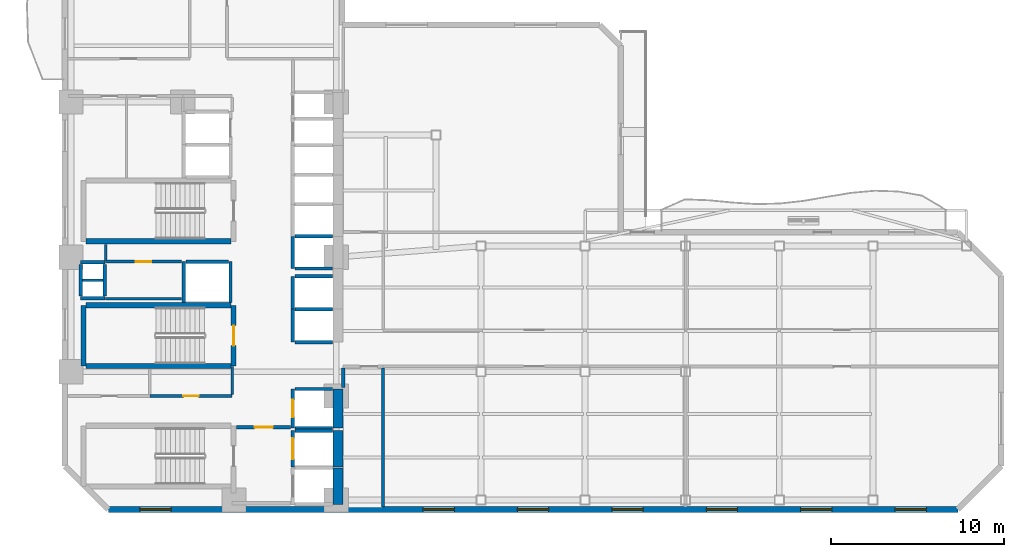
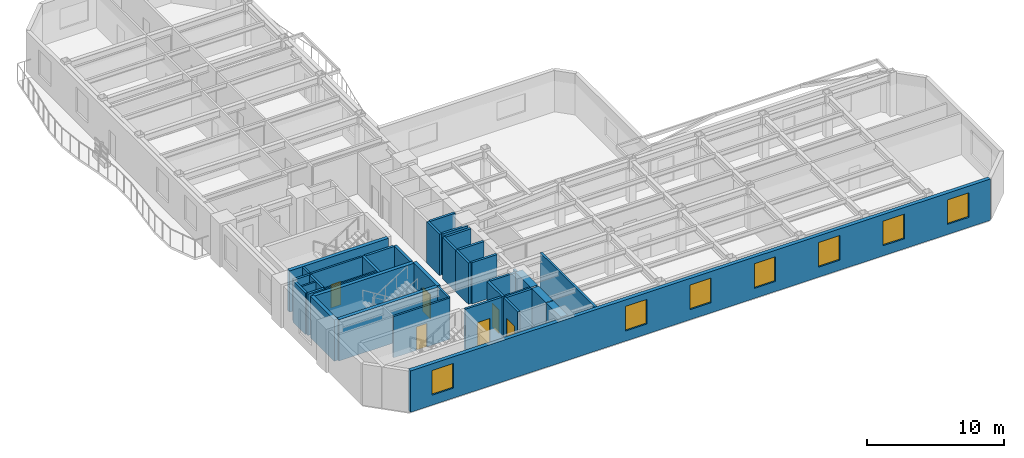
# One storey, part 3 of 10: 38 walls, 7 windows, 6 doors, 13 openings.
"""IFC4 building model written with IfcOpenShell, lengths in metres."""

from ifc_helpers import new_model, si_unit, direction, frame, frame_2d, origin, place, context, subcontext, project, spatial, rectangle, extrude, material, layer, layer_set, type_object, element, fill, save


model = new_model("IFC4")

# Units and contexts
model_context = context("Model", 3, precision=1e-05, world=origin(), true_north=direction((0.0, 1.0)))
body_context = subcontext(model_context, "Body", "Model", "MODEL_VIEW")
ifc_project = project(units=[si_unit("LENGTHUNIT", "METRE"), si_unit("AREAUNIT", "SQUARE_METRE"), si_unit("VOLUMEUNIT", "CUBIC_METRE"), si_unit("PLANEANGLEUNIT", "RADIAN"), si_unit("MASSUNIT", "GRAM", prefix="KILO")], contexts=[model_context])

# Site, building, storey
site_placement = place(None, origin())
site = spatial("IfcSite", under=ifc_project, at=site_placement, CompositionType="ELEMENT")
building_placement = place(site_placement, origin())
building = spatial("IfcBuilding", under=site, at=building_placement, Name="Mawjaban Terraces University", CompositionType="ELEMENT")
storey_placement = place(building_placement, frame((0.0, 0.0, 42.699951171875)))
storey = spatial("IfcBuildingStorey", under=building, at=storey_placement, Name="L09", CompositionType="ELEMENT", Elevation=42.699951171875)

# Walls
ifc_material_1 = material(Name="Acoustic masonry blockwork", Category="masonry")
ifc_layer_1 = layer(ifc_material_1, 0.179931640625)
ifc_layer_set_1 = layer_set([ifc_layer_1], Name="Acoustic masonry blockwork")
wall_type_1 = type_object("IfcWallType", Name="AcousticStudioWall_180", PredefinedType="PARTITIONING", material=ifc_layer_set_1)
wall_1_placement = place(storey_placement, frame((38.050048828125, 7.050048828125, 0.0), z_axis=(0.0, 0.0, 1.0), x_axis=(0.0, 1.0, 0.0)))
element("IfcWall", 1, at=wall_1_placement, inside=storey, type_object=wall_type_1, Name="L09 Core Stair and Lift Lobby East Partition 41", PredefinedType="PARTITIONING", context=body_context, shape_type="SweptSolid", body=[
    extrude(rectangle(XDim=1.114990234375, YDim=0.179931640625, at=frame_2d((0.5576171875, 0.0))), origin(), (0.0, 0.0, 1.0), 3.054931640625),
])
wall_2_placement = place(storey_placement, frame((40.35009765625, 0.155029296875, 0.0), z_axis=(0.0, 0.0, 1.0), x_axis=(0.0, 1.0, 0.0)))
element("IfcWall", 2, at=wall_2_placement, inside=storey, type_object=wall_type_1, Name="L09 Design Studio 1 Partition 43", PredefinedType="PARTITIONING", context=body_context, shape_type="SweptSolid", body=[
    extrude(rectangle(XDim=8.010009765625, YDim=0.179931640625, at=frame_2d((4.0048828125, 0.0))), origin(), (0.0, 0.0, 1.0), 3.68994140625),
])
ifc_material_2 = material(Name="Concrete C70/85", Category="concrete")
ifc_layer_2 = layer(ifc_material_2, 0.60009765625)
ifc_layer_set_2 = layer_set([ifc_layer_2], Name="Concrete C70/85")
wall_type_2 = type_object("IfcWallType", Name="CoreShearWall_600", PredefinedType="SHEAR", material=ifc_layer_set_2)
wall_3_placement = place(storey_placement, frame((37.75, 0.300048828125, 0.0), z_axis=(0.0, 0.0, 1.0), x_axis=(0.0, 1.0, 0.0)))
element("IfcWall", 3, at=wall_3_placement, inside=storey, type_object=wall_type_2, Name="L09 Lift FL-1 Hoistway Wall East", PredefinedType="SHEAR", context=body_context, shape_type="SweptSolid", body=[
    extrude(rectangle(XDim=2.099853515625, YDim=0.60009765625, at=frame_2d((1.0498046875, 0.0))), origin(), (0.0, 0.0, 1.0), 3.68994140625),
])
wall_4_placement = place(storey_placement, frame((37.75, 2.449951171875, 0.0), z_axis=(0.0, 0.0, 1.0), x_axis=(0.0, 1.0, 0.0)))
element("IfcWall", 4, at=wall_4_placement, inside=storey, type_object=wall_type_2, Name="L09 Lift FL-2 Hoistway Wall East", PredefinedType="SHEAR", context=body_context, shape_type="SweptSolid", body=[
    extrude(rectangle(XDim=2.10009765625, YDim=0.60009765625, at=frame_2d((1.050048828125, 0.0))), origin(), (0.0, 0.0, 1.0), 3.68994140625),
])
wall_5_placement = place(storey_placement, frame((37.75, 4.699951171875, 0.0), z_axis=(0.0, 0.0, 1.0), x_axis=(0.0, 1.0, 0.0)))
element("IfcWall", 5, at=wall_5_placement, inside=storey, type_object=wall_type_2, Name="L09 Lift SL-1 Hoistway Wall East", PredefinedType="SHEAR", context=body_context, shape_type="SweptSolid", body=[
    extrude(rectangle(XDim=2.25, YDim=0.60009765625, at=frame_2d((1.125, 0.0))), origin(), (0.0, 0.0, 1.0), 3.68994140625),
])

# Wall, opening, door
ifc_material_3 = material(Name="Fire-rated gypsum board on steel stud", Category="steel")
ifc_layer_3 = layer(ifc_material_3, 0.159912109375)
ifc_layer_set_3 = layer_set([ifc_layer_3], Name="Fire-rated gypsum board on steel stud")
wall_type_3 = type_object("IfcWallType", Name="CorridorPartition_160", PredefinedType="PARTITIONING", material=ifc_layer_set_3)
wall_6_placement = place(storey_placement, frame((24.35009765625, 14.300048828125, 0.0), z_axis=(0.0, 0.0, 1.0), x_axis=(1.0, 0.0, 0.0)))
wall_6 = element("IfcWall", 6, at=wall_6_placement, inside=storey, type_object=wall_type_3, Name="L09 Core Riser Access Passage Partition 2", PredefinedType="PARTITIONING", context=body_context, shape_type="SweptSolid", body=[
    extrude(rectangle(XDim=4.369873046875, YDim=0.159912109375, at=frame_2d((2.18505859375, 0.0))), origin(), (0.0, 0.0, 1.0), 3.68994140625),
])
opening_1_placement = place(wall_6_placement, frame((1.7451171875, 0.0, 0.0)))
opening_1 = element("IfcOpeningElement", 7, at=opening_1_placement, cuts=wall_6, Name="Opening ID-088", PredefinedType="OPENING", context=body_context, shape_type="SweptSolid", body=[
    extrude(rectangle(XDim=0.8798828125, YDim=2.10009765625, at=frame_2d((0.43994140625, 1.050048828125))), frame((0.0, 0.08984375, 0.0), z_axis=(0.0, -1.0, 0.0), x_axis=(1.0, 0.0, 0.0)), (0.0, 0.0, 1.0), 0.179931640625),
])
ifc_material_4 = material(Name="Powder-coated steel frame and solid acoustic timber leaf", Category="steel")
door_type_1 = type_object("IfcDoorType", Name="ToiletDoor_880x2100", OperationType="NOTDEFINED", PredefinedType="DOOR", material=ifc_material_4)
door_1_placement = place(opening_1_placement, origin())
door_1 = element("IfcDoor", 8, at=door_1_placement, inside=storey, type_object=door_type_1, Name="L09 Ablution Room Door", OperationType="SINGLE_SWING_RIGHT", OverallHeight=2.10009765625, OverallWidth=0.8798828125, PredefinedType="DOOR", context=body_context, shape_type="SweptSolid", body=[
    extrude(rectangle(XDim=0.8798828125, YDim=2.10009765625, at=frame_2d((0.43994140625, 1.050048828125))), frame((0.0, 0.02490234375, 0.0), z_axis=(0.0, -1.0, 0.0), x_axis=(1.0, 0.0, 0.0)), (0.0, 0.0, 1.0), 0.050048828125),
])
fill(opening_1, door_1)

wall_7_placement = place(storey_placement, frame((31.64990234375, 6.550048828125, 0.0), z_axis=(0.0, 0.0, 1.0), x_axis=(-1.0, 0.0, 0.0)))
wall_7 = element("IfcWall", 9, at=wall_7_placement, inside=storey, type_object=wall_type_3, Name="L09 Core Washroom Lobby Partition 12", PredefinedType="PARTITIONING", context=body_context, shape_type="SweptSolid", body=[
    extrude(rectangle(XDim=4.75, YDim=0.159912109375, at=frame_2d((2.375, 0.0))), origin(), (0.0, 0.0, 1.0), 3.68994140625),
])
opening_2_placement = place(wall_7_placement, frame((1.93505859375, 0.0, 0.0)))
opening_2 = element("IfcOpeningElement", 10, at=opening_2_placement, cuts=wall_7, Name="Opening ID-088", PredefinedType="OPENING", context=body_context, shape_type="SweptSolid", body=[
    extrude(rectangle(XDim=0.8798828125, YDim=2.10009765625, at=frame_2d((0.43994140625, 1.050048828125))), frame((0.0, 0.08984375, 0.0), z_axis=(0.0, -1.0, 0.0), x_axis=(1.0, 0.0, 0.0)), (0.0, 0.0, 1.0), 0.179931640625),
])
door_2_placement = place(opening_2_placement, origin())
door_2 = element("IfcDoor", 11, at=door_2_placement, inside=storey, type_object=door_type_1, Name="L09 Accessible Toilet Door", OperationType="SINGLE_SWING_LEFT", OverallHeight=2.10009765625, OverallWidth=0.8798828125, PredefinedType="DOOR", context=body_context, shape_type="SweptSolid", body=[
    extrude(rectangle(XDim=0.8798828125, YDim=2.10009765625, at=frame_2d((0.43994140625, 1.050048828125))), frame((0.0, 0.02490234375, 0.0), z_axis=(0.0, -1.0, 0.0), x_axis=(1.0, 0.0, 0.0)), (0.0, 0.0, 1.0), 0.050048828125),
])
fill(opening_2, door_2)

# Walls
wall_8_placement = place(storey_placement, frame((24.35009765625, 15.2900390625, 0.0), z_axis=(0.0, 0.0, 1.0), x_axis=(0.0, -1.0, 0.0)))
element("IfcWall", 12, at=wall_8_placement, inside=storey, type_object=wall_type_3, Name="L09 Core Riser Access Passage Partition 26", PredefinedType="PARTITIONING", context=body_context, shape_type="SweptSolid", body=[
    extrude(rectangle(XDim=0.9150390625, YDim=0.159912109375, at=frame_2d((0.45751953125, 0.0))), origin(), (0.0, 0.0, 1.0), 3.68994140625),
])
wall_9_placement = place(storey_placement, frame((31.64990234375, 8.239990234375, 0.0), z_axis=(0.0, 0.0, 1.0), x_axis=(0.0, -1.0, 0.0)))
element("IfcWall", 13, at=wall_9_placement, inside=storey, type_object=wall_type_3, Name="L09 Passenger Lift Lobby Partition 38", PredefinedType="PARTITIONING", context=body_context, shape_type="SweptSolid", body=[
    extrude(rectangle(XDim=1.614990234375, YDim=0.159912109375, at=frame_2d((0.8076171875, 0.0))), origin(), (0.0, 0.0, 1.0), 3.68994140625),
])

# Wall, openings, windows
ifc_material_5 = material(Name="Insulated terracotta rainscreen on concrete backup C40/50", Category="masonry")
ifc_layer_4 = layer(ifc_material_5, 0.320068359375)
ifc_layer_set_4 = layer_set([ifc_layer_4], Name="Insulated terracotta rainscreen on concrete backup C40/50")
wall_type_4 = type_object("IfcWallType", Name="ExtTerracottaWall_320", PredefinedType="SOLIDWALL", material=ifc_layer_set_4)
wall_10_placement = place(storey_placement, frame((24.5, 0.0, 0.0), z_axis=(0.0, 0.0, 1.0), x_axis=(1.0, 0.0, 0.0)))
wall_10 = element("IfcWall", 14, at=wall_10_placement, inside=storey, type_object=wall_type_4, Name="L09 Exterior Terracotta Wall 1", PredefinedType="SOLIDWALL", context=body_context, shape_type="SweptSolid", body=[
    extrude(rectangle(XDim=49.0, YDim=0.320068359375, at=frame_2d((24.5, 0.0))), origin(), (0.0, 0.0, 1.0), 3.68994140625),
])
opening_3_placement = place(wall_10_placement, frame((1.822021484375, 0.0, 0.89990234375)))
opening_3 = element("IfcOpeningElement", 15, at=opening_3_placement, cuts=wall_10, Name="Opening W-10", PredefinedType="OPENING", context=body_context, shape_type="SweptSolid", body=[
    extrude(rectangle(XDim=1.800048828125, YDim=2.199951171875, at=frame_2d((0.89990234375, 1.10009765625))), frame((0.0, 0.169921875, 0.0), z_axis=(0.0, -1.0, 0.0), x_axis=(1.0, 0.0, 0.0)), (0.0, 0.0, 1.0), 0.340087890625),
])
opening_4_placement = place(wall_10_placement, frame((18.156005859375, 0.0, 0.89990234375)))
opening_4 = element("IfcOpeningElement", 16, at=opening_4_placement, cuts=wall_10, Name="Opening W-10", PredefinedType="OPENING", context=body_context, shape_type="SweptSolid", body=[
    extrude(rectangle(XDim=1.800048828125, YDim=2.199951171875, at=frame_2d((0.89990234375, 1.10009765625))), frame((0.0, 0.169921875, 0.0), z_axis=(0.0, -1.0, 0.0), x_axis=(1.0, 0.0, 0.0)), (0.0, 0.0, 1.0), 0.340087890625),
])
opening_5_placement = place(wall_10_placement, frame((23.60009765625, 0.0, 0.89990234375)))
opening_5 = element("IfcOpeningElement", 17, at=opening_5_placement, cuts=wall_10, Name="Opening W-10", PredefinedType="OPENING", context=body_context, shape_type="SweptSolid", body=[
    extrude(rectangle(XDim=1.800048828125, YDim=2.199951171875, at=frame_2d((0.89990234375, 1.10009765625))), frame((0.0, 0.169921875, 0.0), z_axis=(0.0, -1.0, 0.0), x_axis=(1.0, 0.0, 0.0)), (0.0, 0.0, 1.0), 0.340087890625),
])
opening_6_placement = place(wall_10_placement, frame((29.0439453125, 0.0, 0.89990234375)))
opening_6 = element("IfcOpeningElement", 18, at=opening_6_placement, cuts=wall_10, Name="Opening W-10", PredefinedType="OPENING", context=body_context, shape_type="SweptSolid", body=[
    extrude(rectangle(XDim=1.800048828125, YDim=2.199951171875, at=frame_2d((0.89990234375, 1.10009765625))), frame((0.0, 0.169921875, 0.0), z_axis=(0.0, -1.0, 0.0), x_axis=(1.0, 0.0, 0.0)), (0.0, 0.0, 1.0), 0.340087890625),
])
opening_7_placement = place(wall_10_placement, frame((34.489013671875, 0.0, 0.89990234375)))
opening_7 = element("IfcOpeningElement", 19, at=opening_7_placement, cuts=wall_10, Name="Opening W-10", PredefinedType="OPENING", context=body_context, shape_type="SweptSolid", body=[
    extrude(rectangle(XDim=1.800048828125, YDim=2.199951171875, at=frame_2d((0.89990234375, 1.10009765625))), frame((0.0, 0.169921875, 0.0), z_axis=(0.0, -1.0, 0.0), x_axis=(1.0, 0.0, 0.0)), (0.0, 0.0, 1.0), 0.340087890625),
])
opening_8_placement = place(wall_10_placement, frame((39.93310546875, 0.0, 0.89990234375)))
opening_8 = element("IfcOpeningElement", 20, at=opening_8_placement, cuts=wall_10, Name="Opening W-10", PredefinedType="OPENING", context=body_context, shape_type="SweptSolid", body=[
    extrude(rectangle(XDim=1.800048828125, YDim=2.199951171875, at=frame_2d((0.89990234375, 1.10009765625))), frame((0.0, 0.169921875, 0.0), z_axis=(0.0, -1.0, 0.0), x_axis=(1.0, 0.0, 0.0)), (0.0, 0.0, 1.0), 0.340087890625),
])
opening_9_placement = place(wall_10_placement, frame((45.3779296875, 0.0, 0.89990234375)))
opening_9 = element("IfcOpeningElement", 21, at=opening_9_placement, cuts=wall_10, Name="Opening W-10", PredefinedType="OPENING", context=body_context, shape_type="SweptSolid", body=[
    extrude(rectangle(XDim=1.800048828125, YDim=2.199951171875, at=frame_2d((0.89990234375, 1.10009765625))), frame((0.0, 0.169921875, 0.0), z_axis=(0.0, -1.0, 0.0), x_axis=(1.0, 0.0, 0.0)), (0.0, 0.0, 1.0), 0.340087890625),
])
ifc_material_6 = material(Name="Low-E solar-control double glazing in thermally broken aluminium frame", Category="aluminium")
window_type = type_object("IfcWindowType", Name="Win_1800x2200", PartitioningType="SINGLE_PANEL", PredefinedType="WINDOW", material=ifc_material_6)
window_1_placement = place(opening_3_placement, origin())
window_1 = element("IfcWindow", 22, at=window_1_placement, inside=storey, type_object=window_type, Name="L09 Facade Window 1.1", OverallHeight=2.199951171875, OverallWidth=1.800048828125, PartitioningType="SINGLE_PANEL", PredefinedType="WINDOW", context=body_context, shape_type="SweptSolid", body=[
    extrude(rectangle(XDim=1.800048828125, YDim=2.199951171875, at=frame_2d((0.89990234375, 1.10009765625))), frame((0.0, 0.030029296875, 0.0), z_axis=(0.0, -1.0, 0.0), x_axis=(1.0, 0.0, 0.0)), (0.0, 0.0, 1.0), 0.06005859375),
])
fill(opening_3, window_1)
window_2_placement = place(opening_4_placement, origin())
window_2 = element("IfcWindow", 23, at=window_2_placement, inside=storey, type_object=window_type, Name="L09 Facade Window 1.4", OverallHeight=2.199951171875, OverallWidth=1.800048828125, PartitioningType="SINGLE_PANEL", PredefinedType="WINDOW", context=body_context, shape_type="SweptSolid", body=[
    extrude(rectangle(XDim=1.800048828125, YDim=2.199951171875, at=frame_2d((0.89990234375, 1.10009765625))), frame((0.0, 0.030029296875, 0.0), z_axis=(0.0, -1.0, 0.0), x_axis=(1.0, 0.0, 0.0)), (0.0, 0.0, 1.0), 0.06005859375),
])
fill(opening_4, window_2)
window_3_placement = place(opening_5_placement, origin())
window_3 = element("IfcWindow", 24, at=window_3_placement, inside=storey, type_object=window_type, Name="L09 Facade Window 1.5", OverallHeight=2.199951171875, OverallWidth=1.800048828125, PartitioningType="SINGLE_PANEL", PredefinedType="WINDOW", context=body_context, shape_type="SweptSolid", body=[
    extrude(rectangle(XDim=1.800048828125, YDim=2.199951171875, at=frame_2d((0.89990234375, 1.10009765625))), frame((0.0, 0.030029296875, 0.0), z_axis=(0.0, -1.0, 0.0), x_axis=(1.0, 0.0, 0.0)), (0.0, 0.0, 1.0), 0.06005859375),
])
fill(opening_5, window_3)
window_4_placement = place(opening_6_placement, origin())
window_4 = element("IfcWindow", 25, at=window_4_placement, inside=storey, type_object=window_type, Name="L09 Facade Window 1.6", OverallHeight=2.199951171875, OverallWidth=1.800048828125, PartitioningType="SINGLE_PANEL", PredefinedType="WINDOW", context=body_context, shape_type="SweptSolid", body=[
    extrude(rectangle(XDim=1.800048828125, YDim=2.199951171875, at=frame_2d((0.89990234375, 1.10009765625))), frame((0.0, 0.030029296875, 0.0), z_axis=(0.0, -1.0, 0.0), x_axis=(1.0, 0.0, 0.0)), (0.0, 0.0, 1.0), 0.06005859375),
])
fill(opening_6, window_4)
window_5_placement = place(opening_7_placement, origin())
window_5 = element("IfcWindow", 26, at=window_5_placement, inside=storey, type_object=window_type, Name="L09 Facade Window 1.7", OverallHeight=2.199951171875, OverallWidth=1.800048828125, PartitioningType="SINGLE_PANEL", PredefinedType="WINDOW", context=body_context, shape_type="SweptSolid", body=[
    extrude(rectangle(XDim=1.800048828125, YDim=2.199951171875, at=frame_2d((0.89990234375, 1.10009765625))), frame((0.0, 0.030029296875, 0.0), z_axis=(0.0, -1.0, 0.0), x_axis=(1.0, 0.0, 0.0)), (0.0, 0.0, 1.0), 0.06005859375),
])
fill(opening_7, window_5)
window_6_placement = place(opening_8_placement, origin())
window_6 = element("IfcWindow", 27, at=window_6_placement, inside=storey, type_object=window_type, Name="L09 Facade Window 1.8", OverallHeight=2.199951171875, OverallWidth=1.800048828125, PartitioningType="SINGLE_PANEL", PredefinedType="WINDOW", context=body_context, shape_type="SweptSolid", body=[
    extrude(rectangle(XDim=1.800048828125, YDim=2.199951171875, at=frame_2d((0.89990234375, 1.10009765625))), frame((0.0, 0.030029296875, 0.0), z_axis=(0.0, -1.0, 0.0), x_axis=(1.0, 0.0, 0.0)), (0.0, 0.0, 1.0), 0.06005859375),
])
fill(opening_8, window_6)
window_7_placement = place(opening_9_placement, origin())
window_7 = element("IfcWindow", 28, at=window_7_placement, inside=storey, type_object=window_type, Name="L09 Facade Window 1.9", OverallHeight=2.199951171875, OverallWidth=1.800048828125, PartitioningType="SINGLE_PANEL", PredefinedType="WINDOW", context=body_context, shape_type="SweptSolid", body=[
    extrude(rectangle(XDim=1.800048828125, YDim=2.199951171875, at=frame_2d((0.89990234375, 1.10009765625))), frame((0.0, 0.030029296875, 0.0), z_axis=(0.0, -1.0, 0.0), x_axis=(1.0, 0.0, 0.0)), (0.0, 0.0, 1.0), 0.06005859375),
])
fill(opening_9, window_7)

# Wall, opening, door
ifc_material_7 = material(Name="Concrete C40/50", Category="concrete")
ifc_layer_5 = layer(ifc_material_7, 0.199951171875)
ifc_layer_set_5 = layer_set([ifc_layer_5], Name="Concrete C40/50")
wall_type_5 = type_object("IfcWallType", Name="FireLobbyWall_200", PredefinedType="SOLIDWALL", material=ifc_layer_set_5)
wall_11_placement = place(storey_placement, frame((35.14990234375, 4.550048828125, 0.0), z_axis=(0.0, 0.0, 1.0), x_axis=(0.0, -1.0, 0.0)))
wall_11 = element("IfcWall", 29, at=wall_11_placement, inside=storey, type_object=wall_type_5, Name="L09 Lift FL-2 Hoistway Wall West", PredefinedType="SOLIDWALL", context=body_context, shape_type="SweptSolid", body=[
    extrude(rectangle(XDim=2.10009765625, YDim=0.199951171875, at=frame_2d((1.050048828125, 0.0))), origin(), (0.0, 0.0, 1.0), 3.68994140625),
])
opening_10_placement = place(wall_11_placement, frame((0.449951171875, 0.0, 0.0)))
opening_10 = element("IfcOpeningElement", 30, at=opening_10_placement, cuts=wall_11, Name="Opening LD-FL-2", PredefinedType="OPENING", context=body_context, shape_type="SweptSolid", body=[
    extrude(rectangle(XDim=1.199951171875, YDim=2.14990234375, at=frame_2d((0.60009765625, 1.074951171875))), frame((0.0, 0.10986328125, 0.0), z_axis=(0.0, -1.0, 0.0), x_axis=(1.0, 0.0, 0.0)), (0.0, 0.0, 1.0), 0.219970703125),
])
ifc_material_8 = material(Name="Powder-coated steel frame and fire-rated steel-faced leaf", Category="steel")
door_type_2 = type_object("IfcDoorType", Name="LiftLandingFSAE_1200x2150", OperationType="NOTDEFINED", PredefinedType="DOOR", material=ifc_material_8)
door_3_placement = place(opening_10_placement, origin())
door_3 = element("IfcDoor", 31, at=door_3_placement, inside=storey, type_object=door_type_2, Name="L09 Lift FL-2 Sliding Landing Door", OperationType="DOUBLE_DOOR_SLIDING", OverallHeight=2.14990234375, OverallWidth=1.199951171875, PredefinedType="DOOR", context=body_context, shape_type="SweptSolid", body=[
    extrude(rectangle(XDim=1.199951171875, YDim=2.14990234375, at=frame_2d((0.60009765625, 1.074951171875))), frame((0.0, 0.02490234375, 0.0), z_axis=(0.0, -1.0, 0.0), x_axis=(1.0, 0.0, 0.0)), (0.0, 0.0, 1.0), 0.050048828125),
])
fill(opening_10, door_3)

# Wall
wall_12_placement = place(storey_placement, frame((37.419921875, 4.550048828125, 0.0), z_axis=(0.0, 0.0, 1.0), x_axis=(-1.0, 0.0, 0.0)))
element("IfcWall", 32, at=wall_12_placement, inside=storey, type_object=wall_type_5, Name="L09 Lift FL-2 Hoistway Wall North", PredefinedType="SOLIDWALL", context=body_context, shape_type="SweptSolid", body=[
    extrude(rectangle(XDim=2.139892578125, YDim=0.199951171875, at=frame_2d((1.06982421875, 0.0))), origin(), (0.0, 0.0, 1.0), 3.68994140625),
])

# Wall, opening, door
wall_13_placement = place(storey_placement, frame((35.14990234375, 6.949951171875, 0.0), z_axis=(0.0, 0.0, 1.0), x_axis=(0.0, -1.0, 0.0)))
wall_13 = element("IfcWall", 33, at=wall_13_placement, inside=storey, type_object=wall_type_5, Name="L09 Lift SL-1 Hoistway Wall West", PredefinedType="SOLIDWALL", context=body_context, shape_type="SweptSolid", body=[
    extrude(rectangle(XDim=2.25, YDim=0.199951171875, at=frame_2d((1.125, 0.0))), origin(), (0.0, 0.0, 1.0), 3.68994140625),
])
opening_11_placement = place(wall_13_placement, frame((0.625, 0.0, 0.0)))
opening_11 = element("IfcOpeningElement", 34, at=opening_11_placement, cuts=wall_13, Name="Opening LD-SL-1", PredefinedType="OPENING", context=body_context, shape_type="SweptSolid", body=[
    extrude(rectangle(XDim=1.0, YDim=2.10009765625, at=frame_2d((0.5, 1.050048828125))), frame((0.0, 0.10986328125, 0.0), z_axis=(0.0, -1.0, 0.0), x_axis=(1.0, 0.0, 0.0)), (0.0, 0.0, 1.0), 0.219970703125),
])
door_type_3 = type_object("IfcDoorType", Name="LiftLandingSliding_1000x2100", OperationType="NOTDEFINED", PredefinedType="DOOR", material=ifc_material_8)
door_4_placement = place(opening_11_placement, origin())
door_4 = element("IfcDoor", 35, at=door_4_placement, inside=storey, type_object=door_type_3, Name="L09 Lift SL-1 Sliding Landing Door", OperationType="DOUBLE_DOOR_SLIDING", OverallHeight=2.10009765625, OverallWidth=1.0, PredefinedType="DOOR", context=body_context, shape_type="SweptSolid", body=[
    extrude(rectangle(XDim=1.0, YDim=2.10009765625, at=frame_2d((0.5, 1.050048828125))), frame((0.0, 0.02490234375, 0.0), z_axis=(0.0, -1.0, 0.0), x_axis=(1.0, 0.0, 0.0)), (0.0, 0.0, 1.0), 0.050048828125),
])
fill(opening_11, door_4)

# Walls
for number, where, z_axis, x_axis, name in (
    (36, (35.280029296875, 4.699951171875, 0.0), (0.0, 0.0, 1.0), (1.0, 0.0, 0.0), "L09 Lift SL-1 Hoistway Wall South"),
    (37, (37.419921875, 6.949951171875, 0.0), (0.0, 0.0, 1.0), (-1.0, 0.0, 0.0), "L09 Lift SL-1 Hoistway Wall North"),
):
    element("IfcWall", number, at=place(storey_placement, frame(where, z_axis=z_axis, x_axis=x_axis)), inside=storey, type_object=wall_type_5, Name=name, PredefinedType="SOLIDWALL", context=body_context, shape_type="SweptSolid", body=[
        extrude(rectangle(XDim=2.139892578125, YDim=0.199951171875, at=frame_2d((1.06982421875, 0.0))), origin(), (0.0, 0.0, 1.0), 3.68994140625),
    ])
wall_14_placement = place(storey_placement, frame((35.14990234375, 11.550048828125, 0.0), z_axis=(0.0, 0.0, 1.0), x_axis=(0.0, -1.0, 0.0)))
element("IfcWall", 38, at=wall_14_placement, inside=storey, type_object=wall_type_5, Name="L09 Lift PL-H1 Hoistway Wall West", PredefinedType="SOLIDWALL", context=body_context, shape_type="SweptSolid", body=[
    extrude(rectangle(XDim=1.900146484375, YDim=0.199951171875, at=frame_2d((0.9501953125, 0.0))), origin(), (0.0, 0.0, 1.0), 3.68994140625),
])
for number, where, z_axis, x_axis, name in (
    (39, (35.280029296875, 9.64990234375, 0.0), (0.0, 0.0, 1.0), (1.0, 0.0, 0.0), "L09 Lift PL-H1 Hoistway Wall South"),
    (40, (37.419921875, 11.550048828125, 0.0), (0.0, 0.0, 1.0), (-1.0, 0.0, 0.0), "L09 Lift PL-H1 Hoistway Wall North"),
):
    element("IfcWall", number, at=place(storey_placement, frame(where, z_axis=z_axis, x_axis=x_axis)), inside=storey, type_object=wall_type_5, Name=name, PredefinedType="SOLIDWALL", context=body_context, shape_type="SweptSolid", body=[
        extrude(rectangle(XDim=2.139892578125, YDim=0.199951171875, at=frame_2d((1.06982421875, 0.0))), origin(), (0.0, 0.0, 1.0), 3.68994140625),
    ])
wall_15_placement = place(storey_placement, frame((35.14990234375, 13.449951171875, 0.0), z_axis=(0.0, 0.0, 1.0), x_axis=(0.0, -1.0, 0.0)))
element("IfcWall", 41, at=wall_15_placement, inside=storey, type_object=wall_type_5, Name="L09 Lift PL-H2 Hoistway Wall West", PredefinedType="SOLIDWALL", context=body_context, shape_type="SweptSolid", body=[
    extrude(rectangle(XDim=1.89990234375, YDim=0.199951171875, at=frame_2d((0.949951171875, 0.0))), origin(), (0.0, 0.0, 1.0), 3.68994140625),
])
wall_16_placement = place(storey_placement, frame((37.419921875, 13.449951171875, 0.0), z_axis=(0.0, 0.0, 1.0), x_axis=(-1.0, 0.0, 0.0)))
element("IfcWall", 42, at=wall_16_placement, inside=storey, type_object=wall_type_5, Name="L09 Lift PL-H2 Hoistway Wall North", PredefinedType="SOLIDWALL", context=body_context, shape_type="SweptSolid", body=[
    extrude(rectangle(XDim=2.139892578125, YDim=0.199951171875, at=frame_2d((1.06982421875, 0.0))), origin(), (0.0, 0.0, 1.0), 3.68994140625),
])
for number, where, z_axis, x_axis, name in (
    (43, (28.85009765625, 14.300048828125, 0.0), (0.0, 0.0, 1.0), (0.0, -1.0, 0.0), "L09 Lift PL-H3 Hoistway Wall West"),
    (44, (31.550048828125, 11.929931640625, 0.0), (0.0, 0.0, 1.0), (0.0, 1.0, 0.0), "L09 Lift PL-H3 Hoistway Wall East"),
):
    element("IfcWall", number, at=place(storey_placement, frame(where, z_axis=z_axis, x_axis=x_axis)), inside=storey, type_object=wall_type_5, Name=name, PredefinedType="SOLIDWALL", context=body_context, shape_type="SweptSolid", body=[
        extrude(rectangle(XDim=2.3701171875, YDim=0.199951171875, at=frame_2d((1.18505859375, 0.0))), origin(), (0.0, 0.0, 1.0), 3.68994140625),
    ])
wall_17_placement = place(storey_placement, frame((31.419921875, 14.300048828125, 0.0), z_axis=(0.0, 0.0, 1.0), x_axis=(-1.0, 0.0, 0.0)))
element("IfcWall", 45, at=wall_17_placement, inside=storey, type_object=wall_type_5, Name="L09 Lift PL-H3 Hoistway Wall North", PredefinedType="SOLIDWALL", context=body_context, shape_type="SweptSolid", body=[
    extrude(rectangle(XDim=2.43994140625, YDim=0.199951171875, at=frame_2d((1.219970703125, 0.0))), origin(), (0.0, 0.0, 1.0), 3.68994140625),
])
wall_18_placement = place(storey_placement, frame((35.14990234375, 15.75, 0.0), z_axis=(0.0, 0.0, 1.0), x_axis=(0.0, -1.0, 0.0)))
element("IfcWall", 46, at=wall_18_placement, inside=storey, type_object=wall_type_5, Name="L09 Lift OL-1 Hoistway Wall West", PredefinedType="SOLIDWALL", context=body_context, shape_type="SweptSolid", body=[
    extrude(rectangle(XDim=1.85009765625, YDim=0.199951171875, at=frame_2d((0.925048828125, 0.0))), origin(), (0.0, 0.0, 1.0), 3.68994140625),
])
for number, where, z_axis, x_axis, name in (
    (47, (35.280029296875, 13.89990234375, 0.0), (0.0, 0.0, 1.0), (1.0, 0.0, 0.0), "L09 Lift OL-1 Hoistway Wall South"),
    (48, (37.419921875, 15.75, 0.0), (0.0, 0.0, 1.0), (-1.0, 0.0, 0.0), "L09 Lift OL-1 Hoistway Wall North"),
):
    element("IfcWall", number, at=place(storey_placement, frame(where, z_axis=z_axis, x_axis=x_axis)), inside=storey, type_object=wall_type_5, Name=name, PredefinedType="SOLIDWALL", context=body_context, shape_type="SweptSolid", body=[
        extrude(rectangle(XDim=2.139892578125, YDim=0.199951171875, at=frame_2d((1.06982421875, 0.0))), origin(), (0.0, 0.0, 1.0), 3.68994140625),
    ])
for number, where, z_axis, x_axis, name in (
    (49, (22.89990234375, 14.25, 0.0), (0.0, 0.0, 1.0), (1.0, 0.0, 0.0), "L09 MEP Riser Shaft Wall N"),
    (50, (22.89990234375, 12.179931640625, 0.0), (0.0, 0.0, 1.0), (1.0, 0.0, 0.0), "L09 MEP Riser Shaft Wall S"),
):
    element("IfcWall", number, at=place(storey_placement, frame(where, z_axis=z_axis, x_axis=x_axis)), inside=storey, type_object=wall_type_5, Name=name, PredefinedType="SOLIDWALL", context=body_context, shape_type="SweptSolid", body=[
        extrude(rectangle(XDim=1.400146484375, YDim=0.199951171875, at=frame_2d((0.7001953125, 0.0))), origin(), (0.0, 0.0, 1.0), 3.68994140625),
    ])
for number, where, z_axis, x_axis, name in (
    (51, (24.300048828125, 12.300048828125, 0.0), (0.0, 0.0, 1.0), (0.0, 1.0, 0.0), "L09 MEP Riser Shaft Wall E"),
    (52, (22.89990234375, 12.300048828125, 0.0), (0.0, 0.0, 1.0), (0.0, 1.0, 0.0), "L09 MEP Riser Shaft Wall W"),
):
    element("IfcWall", number, at=place(storey_placement, frame(where, z_axis=z_axis, x_axis=x_axis)), inside=storey, type_object=wall_type_5, Name=name, PredefinedType="SOLIDWALL", context=body_context, shape_type="SweptSolid", body=[
        extrude(rectangle(XDim=1.829833984375, YDim=0.199951171875, at=frame_2d((0.9150390625, 0.0))), origin(), (0.0, 0.0, 1.0), 3.68994140625),
    ])

# Wall, opening, door
wall_19_placement = place(storey_placement, frame((35.02001953125, 4.75, 0.0), z_axis=(0.0, 0.0, 1.0), x_axis=(-1.0, 0.0, 0.0)))
wall_19 = element("IfcWall", 53, at=wall_19_placement, inside=storey, type_object=wall_type_5, Name="L09 Firefighting Lift Lobby Partition 13", PredefinedType="SOLIDWALL", context=body_context, shape_type="SweptSolid", body=[
    extrude(rectangle(XDim=3.110107421875, YDim=0.199951171875, at=frame_2d((1.55517578125, 0.0))), origin(), (0.0, 0.0, 1.0), 3.68994140625),
])
opening_12_placement = place(wall_19_placement, frame((1.030029296875, 0.0, 0.0)))
opening_12 = element("IfcOpeningElement", 54, at=opening_12_placement, cuts=wall_19, Name="Opening FD-105", PredefinedType="OPENING", context=body_context, shape_type="SweptSolid", body=[
    extrude(rectangle(XDim=1.050048828125, YDim=2.14990234375, at=frame_2d((0.52490234375, 1.074951171875))), frame((0.0, 0.10986328125, 0.0), z_axis=(0.0, -1.0, 0.0), x_axis=(1.0, 0.0, 0.0)), (0.0, 0.0, 1.0), 0.219970703125),
])
door_type_4 = type_object("IfcDoorType", Name="FireLobbyDoor_1050x2150", OperationType="NOTDEFINED", PredefinedType="DOOR", material=ifc_material_8)
door_5_placement = place(opening_12_placement, origin())
door_5 = element("IfcDoor", 55, at=door_5_placement, inside=storey, type_object=door_type_4, Name="L09 Firefighting Lift Lobby Door", OperationType="SINGLE_SWING_LEFT", OverallHeight=2.14990234375, OverallWidth=1.050048828125, PredefinedType="DOOR", context=body_context, shape_type="SweptSolid", body=[
    extrude(rectangle(XDim=1.050048828125, YDim=2.14990234375, at=frame_2d((0.52490234375, 1.074951171875))), frame((0.0, 0.02490234375, 0.0), z_axis=(0.0, -1.0, 0.0), x_axis=(1.0, 0.0, 0.0)), (0.0, 0.0, 1.0), 0.050048828125),
])
fill(opening_12, door_5)

# Walls
ifc_material_9 = material(Name="Moisture-resistant gypsum board on steel stud", Category="steel")
ifc_layer_6 = layer(ifc_material_9, 0.14501953125)
ifc_layer_set_6 = layer_set([ifc_layer_6], Name="Moisture-resistant gypsum board on steel stud")
wall_type_6 = type_object("IfcWallType", Name="LabPartition_145", PredefinedType="PARTITIONING", material=ifc_layer_set_6)
wall_20_placement = place(storey_placement, frame((23.010009765625, 13.22509765625, 0.0), z_axis=(0.0, 0.0, 1.0), x_axis=(1.0, 0.0, 0.0)))
element("IfcWall", 56, at=wall_20_placement, inside=storey, type_object=wall_type_6, Name="L09 MEP Riser Shaft Wall M", PredefinedType="PARTITIONING", context=body_context, shape_type="SweptSolid", body=[
    extrude(rectangle(XDim=1.179931640625, YDim=0.14501953125, at=frame_2d((0.58984375, 0.0))), origin(), (0.0, 0.0, 1.0), 3.68994140625),
])
ifc_material_10 = material(Name="Concrete C60/75", Category="concrete")
ifc_layer_7 = layer(ifc_material_10, 0.300048828125)
ifc_layer_set_7 = layer_set([ifc_layer_7], Name="Concrete C60/75")
wall_type_7 = type_object("IfcWallType", Name="StairShaftWall_300", PredefinedType="SHEAR", material=ifc_layer_set_7)
for number, where, z_axis, x_axis, name in (
    (57, (23.219970703125, 15.469970703125, 0.0), (0.0, 0.0, 1.0), (1.0, 0.0, 0.0), "L09 ST-2 Stair Shaft Wall 3"),
    (58, (31.580078125, 11.780029296875, 0.0), (0.0, 0.0, 1.0), (-1.0, 0.0, 0.0), "L09 ST-3 Stair Shaft Wall 1"),
):
    element("IfcWall", number, at=place(storey_placement, frame(where, z_axis=z_axis, x_axis=x_axis)), inside=storey, type_object=wall_type_7, Name=name, PredefinedType="SHEAR", context=body_context, shape_type="SweptSolid", body=[
        extrude(rectangle(XDim=8.360107421875, YDim=0.300048828125, at=frame_2d((4.18017578125, 0.0))), origin(), (0.0, 0.0, 1.0), 3.68994140625),
    ])
wall_21_placement = place(storey_placement, frame((23.070068359375, 11.780029296875, 0.0), z_axis=(0.0, 0.0, 1.0), x_axis=(0.0, -1.0, 0.0)))
element("IfcWall", 59, at=wall_21_placement, inside=storey, type_object=wall_type_7, Name="L09 ST-3 Stair Shaft Wall 2", PredefinedType="SHEAR", context=body_context, shape_type="SweptSolid", body=[
    extrude(rectangle(XDim=3.510009765625, YDim=0.300048828125, at=frame_2d((1.7548828125, 0.0))), origin(), (0.0, 0.0, 1.0), 3.68994140625),
])
wall_22_placement = place(storey_placement, frame((23.219970703125, 8.27001953125, 0.0), z_axis=(0.0, 0.0, 1.0), x_axis=(1.0, 0.0, 0.0)))
element("IfcWall", 60, at=wall_22_placement, inside=storey, type_object=wall_type_7, Name="L09 ST-3 Stair Shaft Wall 3", PredefinedType="SHEAR", context=body_context, shape_type="SweptSolid", body=[
    extrude(rectangle(XDim=8.360107421875, YDim=0.300048828125, at=frame_2d((4.18017578125, 0.0))), origin(), (0.0, 0.0, 1.0), 3.68994140625),
])

# Wall, opening, door
wall_23_placement = place(storey_placement, frame((31.72998046875, 8.27001953125, 0.0), z_axis=(0.0, 0.0, 1.0), x_axis=(0.0, 1.0, 0.0)))
wall_23 = element("IfcWall", 61, at=wall_23_placement, inside=storey, type_object=wall_type_7, Name="L09 ST-3 Stair Shaft Wall 4", PredefinedType="SHEAR", context=body_context, shape_type="SweptSolid", body=[
    extrude(rectangle(XDim=3.510009765625, YDim=0.300048828125, at=frame_2d((1.7548828125, 0.0))), origin(), (0.0, 0.0, 1.0), 3.68994140625),
])
opening_13_placement = place(wall_23_placement, frame((1.179931640625, 0.0, 0.0)))
opening_13 = element("IfcOpeningElement", 62, at=opening_13_placement, cuts=wall_23, Name="Opening FD-115", PredefinedType="OPENING", context=body_context, shape_type="SweptSolid", body=[
    extrude(rectangle(XDim=1.14990234375, YDim=2.14990234375, at=frame_2d((0.574951171875, 1.074951171875))), frame((0.0, 0.159912109375, 0.0), z_axis=(0.0, -1.0, 0.0), x_axis=(1.0, 0.0, 0.0)), (0.0, 0.0, 1.0), 0.320068359375),
])
door_type_5 = type_object("IfcDoorType", Name="FireStairDoor_1150x2150", OperationType="NOTDEFINED", PredefinedType="DOOR", material=ifc_material_8)
door_6_placement = place(opening_13_placement, origin())
door_6 = element("IfcDoor", 63, at=door_6_placement, inside=storey, type_object=door_type_5, Name="L09 ST-3 Pressurised Stair Fire Door", OperationType="SINGLE_SWING_RIGHT", OverallHeight=2.14990234375, OverallWidth=1.14990234375, PredefinedType="DOOR", context=body_context, shape_type="SweptSolid", body=[
    extrude(rectangle(XDim=1.14990234375, YDim=2.14990234375, at=frame_2d((0.574951171875, 1.074951171875))), frame((0.0, 0.02490234375, 0.0), z_axis=(0.0, -1.0, 0.0), x_axis=(1.0, 0.0, 0.0)), (0.0, 0.0, 1.0), 0.050048828125),
])
fill(opening_13, door_6)

# Wall
ifc_material_11 = material(Name="Cement-board wet-room partition", Category="masonry")
ifc_layer_8 = layer(ifc_material_11, 0.135009765625)
ifc_layer_set_8 = layer_set([ifc_layer_8], Name="Cement-board wet-room partition")
wall_type_8 = type_object("IfcWallType", Name="WetRoomPartition_135", PredefinedType="PARTITIONING", material=ifc_layer_set_8)
wall_24_placement = place(storey_placement, frame((24.35009765625, 12.14990234375, 0.0), z_axis=(0.0, 0.0, 1.0), x_axis=(1.0, 0.0, 0.0)))
element("IfcWall", 64, at=wall_24_placement, inside=storey, type_object=wall_type_8, Name="L09 Ablution Room Partition 1", PredefinedType="PARTITIONING", context=body_context, shape_type="SweptSolid", body=[
    extrude(rectangle(XDim=4.369873046875, YDim=0.135009765625, at=frame_2d((2.18505859375, 0.0))), origin(), (0.0, 0.0, 1.0), 3.68994140625),
])

save(model, "model.ifc")
